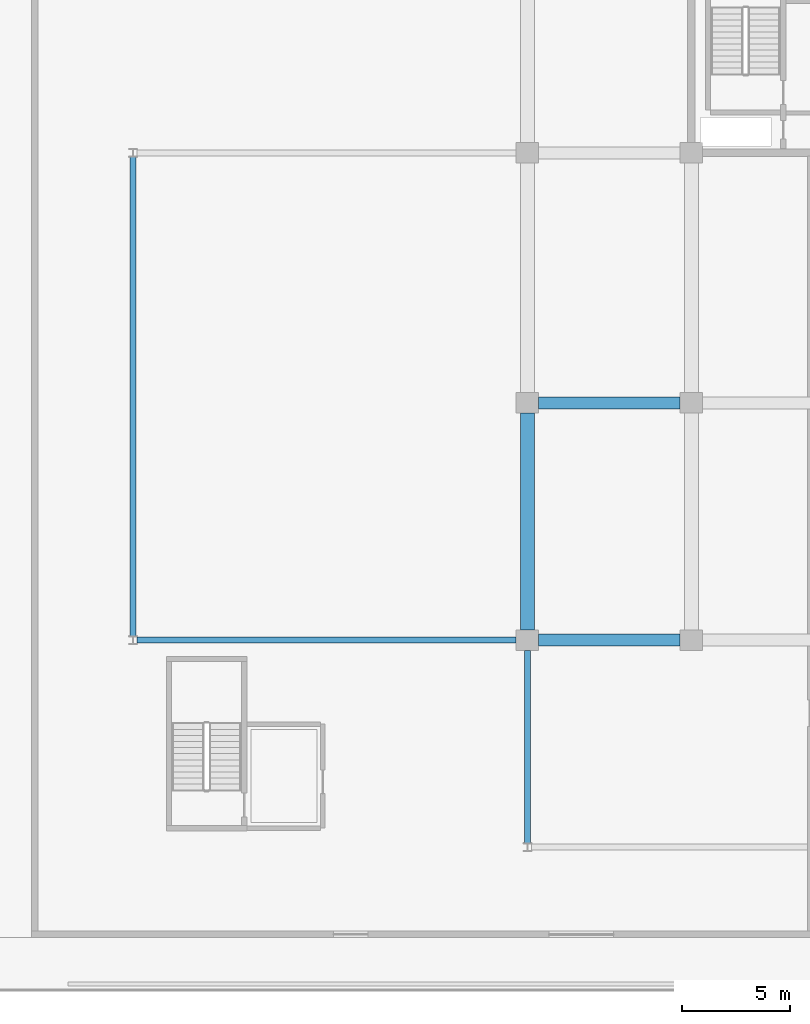
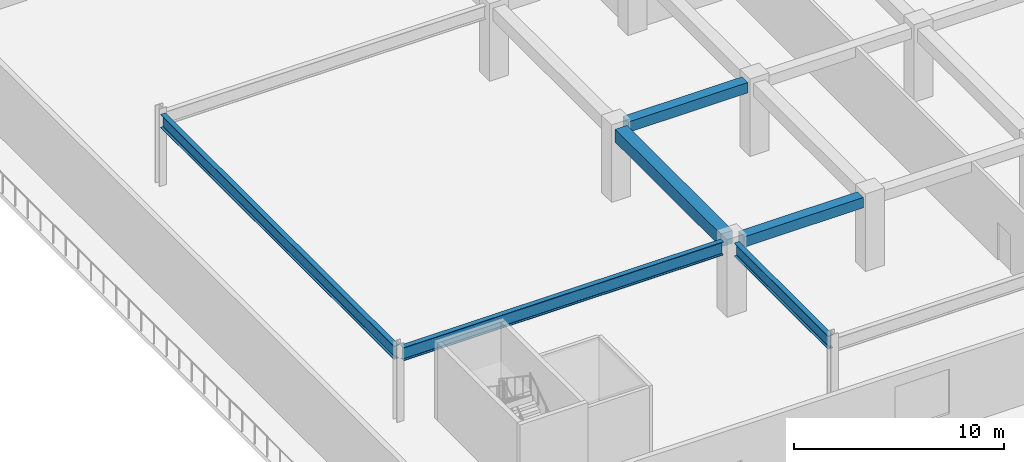
# One storey, part 7 of 40: 6 beams.
"""IFC4 building model written with IfcOpenShell, lengths in metres."""

from ifc_helpers import new_model, si_unit, direction, frame, origin, origin_2d, place, context, subcontext, project, spatial, rectangle, i_section, extrude, material, material_profile, profile_set, type_object, element, save


model = new_model("IFC4")

# Units and contexts
model_context = context("Model", 3, precision=1e-05, world=origin(), true_north=direction((0.0, 1.0)))
body_context = subcontext(model_context, "Body", "Model", "MODEL_VIEW")
ifc_project = project(units=[si_unit("LENGTHUNIT", "METRE"), si_unit("AREAUNIT", "SQUARE_METRE"), si_unit("VOLUMEUNIT", "CUBIC_METRE"), si_unit("PLANEANGLEUNIT", "RADIAN"), si_unit("MASSUNIT", "GRAM", prefix="KILO")], contexts=[model_context])

# Site, building, storey
site_placement = place(None, origin())
site = spatial("IfcSite", under=ifc_project, at=site_placement, CompositionType="ELEMENT")
building_placement = place(site_placement, origin())
building = spatial("IfcBuilding", under=site, at=building_placement, Name="Korimba Cascade Residences", CompositionType="ELEMENT")
storey_placement = place(building_placement, frame((0.0, 0.0, 14.5)))
storey = spatial("IfcBuildingStorey", under=building, at=storey_placement, Name="L03", CompositionType="ELEMENT", Elevation=14.5)

# Beams
ifc_material_1 = material(Name="Concrete C50/60", Category="concrete")
ifc_material_profile_1 = material_profile(ifc_material_1, rectangle(XDim=0.550048828125, YDim=0.60009765625, at=origin_2d()), Name="Concrete C50/60")
ifc_profile_set_1 = profile_set([ifc_material_profile_1], Name="Concrete C50/60")
beam_type_1 = type_object("IfcBeamType", Name="BM-RC-B600", PredefinedType="BEAM", material=ifc_profile_set_1)
for number, where, z_axis, x_axis, name in (
    (1, (75.02490234375, -4.199951171875, 3.8798828125), (1.0, 0.0, 0.0), (0.0, 1.0, 0.0), "L03 T2 E-W Girder Y1 Bay 1"),
    (2, (75.02490234375, 6.800048828125, 3.8798828125), (1.0, 0.0, 0.0), (0.0, 1.0, 0.0), "L03 T2 E-W Girder Y2 Bay 1"),
):
    element("IfcBeam", number, at=place(storey_placement, frame(where, z_axis=z_axis, x_axis=x_axis)), inside=storey, type_object=beam_type_1, Name=name, PredefinedType="BEAM", context=body_context, shape_type="SweptSolid", body=[
        extrude(rectangle(XDim=0.550048828125, YDim=0.60009765625, at=origin_2d()), origin(), (0.0, 0.0, 1.0), 6.550048828125),
    ])
ifc_material_profile_2 = material_profile(ifc_material_1, rectangle(XDim=0.64990234375, YDim=0.75, at=origin_2d()), Name="Concrete C50/60")
ifc_profile_set_2 = profile_set([ifc_material_profile_2], Name="Concrete C50/60")
beam_type_2 = type_object("IfcBeamType", Name="BM-RC-G750", PredefinedType="BEAM", material=ifc_profile_set_2)
beam_1_placement = place(storey_placement, frame((74.5, -3.72509765625, 3.804931640625), z_axis=(0.0, 1.0, 0.0), x_axis=(-1.0, 0.0, 0.0)))
element("IfcBeam", 3, at=beam_1_placement, inside=storey, type_object=beam_type_2, Name="L03 T2 N-S Girder X1 Seg 1", PredefinedType="BEAM", context=body_context, shape_type="SweptSolid", body=[
    extrude(rectangle(XDim=0.64990234375, YDim=0.75, at=origin_2d()), origin(), (0.0, 0.0, 1.0), 10.050048828125),
])
ifc_material_2 = material(Name="Steel S355", Category="steel")
ifc_material_profile_3 = material_profile(ifc_material_2, i_section(OverallWidth=0.26806640625, OverallDepth=0.769775390625, WebThickness=0.015625, FlangeThickness=0.025390625, FilletRadius=0.0166015625, at=origin_2d()), Name="Steel S355")
ifc_profile_set_3 = profile_set([ifc_material_profile_3], Name="Steel S355")
beam_type_3 = type_object("IfcBeamType", Name="BM-STL-UB762", PredefinedType="BEAM", material=ifc_profile_set_3)
beam_2_placement = place(storey_placement, frame((56.3994140625, -4.199951171875, 3.795166015625), z_axis=(1.0, 0.0, 0.0), x_axis=(0.0, 1.0, 0.0)))
element("IfcBeam", 4, at=beam_2_placement, inside=storey, type_object=beam_type_3, Name="L03 Podium Frame Girder W1", PredefinedType="BEAM", context=body_context, shape_type="SweptSolid", body=[
    extrude(i_section(OverallWidth=0.26806640625, OverallDepth=0.769775390625, WebThickness=0.015625, FlangeThickness=0.025390625, FilletRadius=0.0166015625, at=origin_2d()), origin(), (0.0, 0.0, 1.0), 17.57568359375),
])
beam_3_placement = place(storey_placement, frame((56.199951171875, -4.003173828125, 3.795166015625), z_axis=(0.0, 1.0, 0.0), x_axis=(-1.0, 0.0, 0.0)))
element("IfcBeam", 5, at=beam_3_placement, inside=storey, type_object=beam_type_3, Name="L03 Podium Frame Girder WN", PredefinedType="BEAM", context=body_context, shape_type="SweptSolid", body=[
    extrude(i_section(OverallWidth=0.26806640625, OverallDepth=0.769775390625, WebThickness=0.015625, FlangeThickness=0.025390625, FilletRadius=0.0166015625, at=origin_2d()), origin(), (0.0, 0.0, 1.0), 22.206298828125),
])
beam_4_placement = place(storey_placement, frame((74.5, -13.603271484375, 3.795166015625), z_axis=(0.0, 1.0, 0.0), x_axis=(-1.0, 0.0, 0.0)))
element("IfcBeam", 6, at=beam_4_placement, inside=storey, type_object=beam_type_3, Name="L03 Podium Frame Girder S1", PredefinedType="BEAM", context=body_context, shape_type="SweptSolid", body=[
    extrude(i_section(OverallWidth=0.26806640625, OverallDepth=0.769775390625, WebThickness=0.015625, FlangeThickness=0.025390625, FilletRadius=0.0166015625, at=origin_2d()), origin(), (0.0, 0.0, 1.0), 8.92822265625),
])

save(model, "model.ifc")
